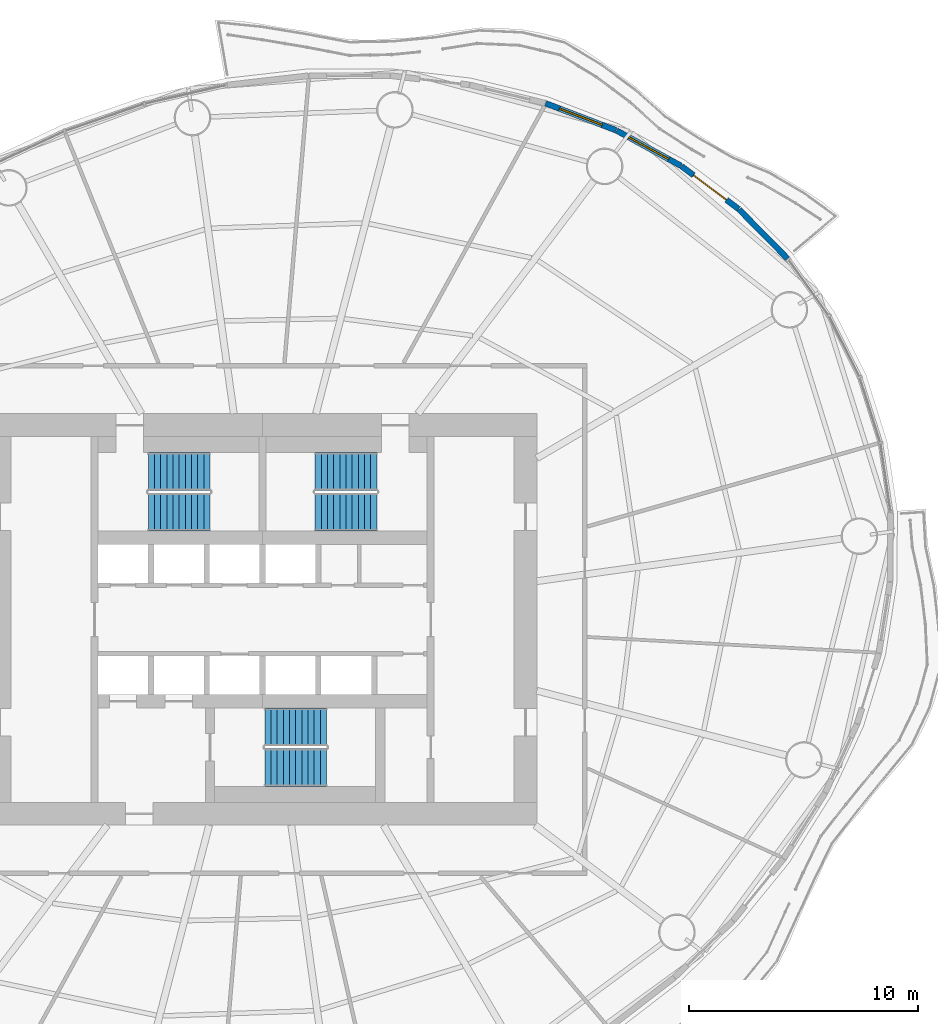
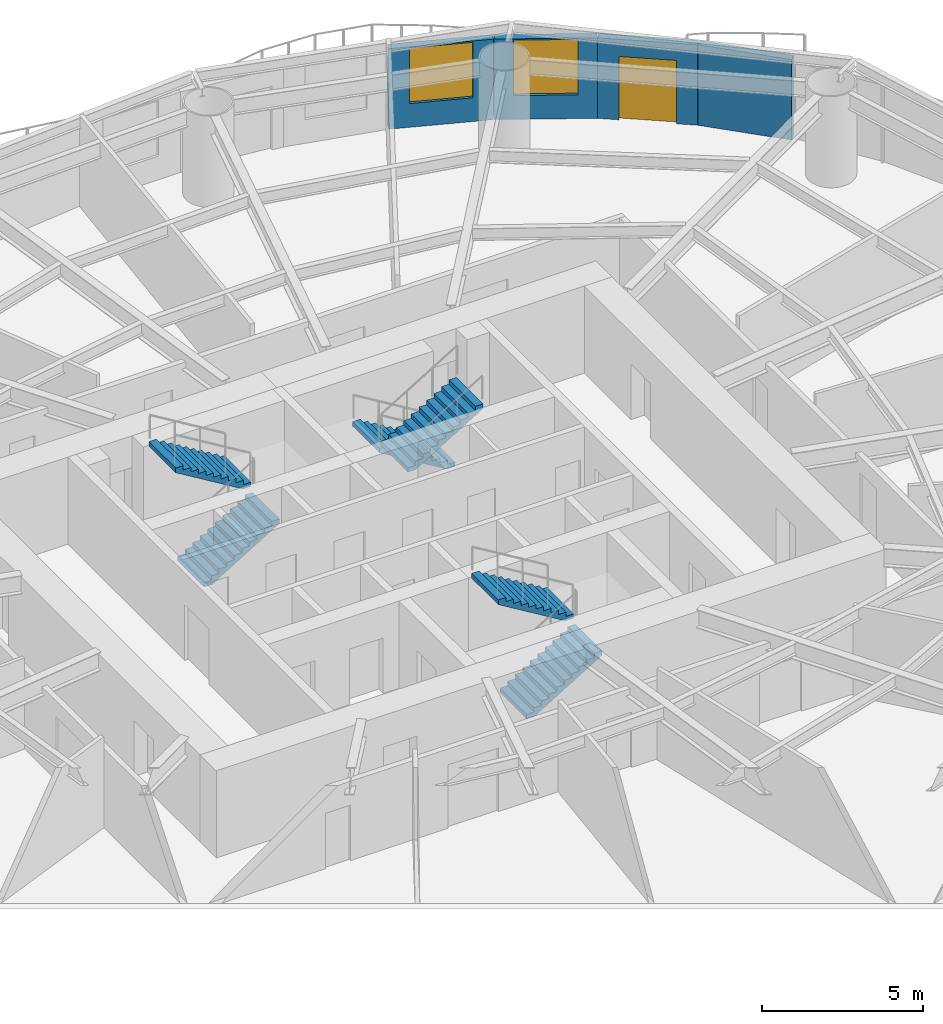
# One storey, part 10 of 15: 6 stair flights, 4 walls, 2 windows, 1 door, 3 openings, 3 elements without a shape of their own.
"""IFC4 building model written with IfcOpenShell, lengths in metres."""

from ifc_helpers import new_model, si_unit, direction, frame, frame_2d, origin, place, context, subcontext, project, spatial, polyline, rectangle, outline, extrude, material, layer, layer_set, type_object, element, fill, aggregate, save


model = new_model("IFC4")

# Units and contexts
model_context = context("Model", 3, precision=1e-05, world=origin(), true_north=direction((0.0, 1.0)))
body_context = subcontext(model_context, "Body", "Model", "MODEL_VIEW")
ifc_project = project(units=[si_unit("LENGTHUNIT", "METRE"), si_unit("AREAUNIT", "SQUARE_METRE"), si_unit("VOLUMEUNIT", "CUBIC_METRE"), si_unit("PLANEANGLEUNIT", "RADIAN"), si_unit("MASSUNIT", "GRAM", prefix="KILO")], contexts=[model_context])

# Site, building, storey
site_placement = place(None, origin())
site = spatial("IfcSite", under=ifc_project, at=site_placement, CompositionType="ELEMENT")
building_placement = place(site_placement, origin())
building = spatial("IfcBuilding", under=site, at=building_placement, Name="Vermilion Reach Broadcast Tower", CompositionType="ELEMENT")
storey_placement = place(building_placement, frame((0.0, 0.0, 121.0)))
storey = spatial("IfcBuildingStorey", under=building, at=storey_placement, Name="L28", CompositionType="ELEMENT", Elevation=121.0)

# Wall
ifc_material_1 = material(Name="Terracotta rainscreen cladding", Category="masonry")
ifc_layer = layer(ifc_material_1, 0.25)
ifc_layer_set = layer_set([ifc_layer], Name="Terracotta rainscreen wall 250")
wall_type = type_object("IfcWallType", Name="Terracotta rainscreen wall 250", PredefinedType="SOLIDWALL", material=ifc_layer_set)
wall_1_placement = place(storey_placement, frame((16.9609375, 15.78857421875, 0.0), z_axis=(0.0, 0.0, 1.0), x_axis=(-0.701948142778, 0.71222805677, 0.0)))
element("IfcWall", 1, at=wall_1_placement, inside=storey, type_object=wall_type, Name="External wall L28 02", PredefinedType="SOLIDWALL", context=body_context, shape_type="SweptSolid", body=[
    extrude(rectangle(XDim=3.01611328125, YDim=0.25, at=frame_2d((1.508056640625, 0.0))), origin(), (0.0, 0.0, 1.0), 3.050048828125),
])

# Wall, opening, door
wall_2_placement = place(storey_placement, frame((14.82373046875, 17.954345703125, 0.0), z_axis=(0.0, 0.0, 1.0), x_axis=(-0.799896906683, 0.60013743316, 0.0)))
wall_2 = element("IfcWall", 2, at=wall_2_placement, inside=storey, type_object=wall_type, Name="External wall L28 03", PredefinedType="SOLIDWALL", context=body_context, shape_type="SweptSolid", body=[
    extrude(rectangle(XDim=3.126220703125, YDim=0.25, at=frame_2d((1.56298828125, 0.0))), origin(), (0.0, 0.0, 1.0), 3.050048828125),
])
opening_1_placement = place(wall_2_placement, frame((0.6630859375, 0.0, 0.0)))
opening_1 = element("IfcOpeningElement", 3, at=opening_1_placement, cuts=wall_2, Name="Opening D70", PredefinedType="OPENING", context=body_context, shape_type="SweptSolid", body=[
    extrude(rectangle(XDim=1.800048828125, YDim=2.39990234375, at=frame_2d((0.89990234375, 1.199951171875))), frame((0.0, 0.135009765625, 0.0), z_axis=(0.0, -1.0, 0.0), x_axis=(1.0, 0.0, 0.0)), (0.0, 0.0, 1.0), 0.27001953125),
])
ifc_material_2 = material(Name="Low-e laminated clear glass in aluminium frame", Category="aluminium")
door_type = type_object("IfcDoorType", Name="Balcony sliding door 1800 x 2400", OperationType="DOUBLE_DOOR_SLIDING", PredefinedType="DOOR", material=ifc_material_2)
door_placement = place(opening_1_placement, origin())
door = element("IfcDoor", 4, at=door_placement, inside=storey, type_object=door_type, Name="Balcony door L28 run 01", OperationType="DOUBLE_DOOR_SLIDING", OverallHeight=2.39990234375, OverallWidth=1.800048828125, PredefinedType="DOOR", context=body_context, shape_type="SweptSolid", body=[
    extrude(rectangle(XDim=1.800048828125, YDim=2.39990234375, at=frame_2d((0.89990234375, 1.199951171875))), frame((0.0, 0.02490234375, 0.0), z_axis=(0.0, -1.0, 0.0), x_axis=(1.0, 0.0, 0.0)), (0.0, 0.0, 1.0), 0.050048828125),
])
fill(opening_1, door)

# Wall, opening, window
wall_3_placement = place(storey_placement, frame((12.30126953125, 19.844482421875, 0.0), z_axis=(0.0, 0.0, 1.0), x_axis=(-0.876916884628, 0.480642047114, 0.0)))
wall_3 = element("IfcWall", 5, at=wall_3_placement, inside=storey, type_object=wall_type, Name="External wall L28 04", PredefinedType="SOLIDWALL", context=body_context, shape_type="SweptSolid", body=[
    extrude(rectangle(XDim=3.209228515625, YDim=0.25, at=frame_2d((1.6044921875, 0.0))), origin(), (0.0, 0.0, 1.0), 3.050048828125),
])
opening_2_placement = place(wall_3_placement, frame((0.6044921875, 0.0, 0.89990234375)))
opening_2 = element("IfcOpeningElement", 6, at=opening_2_placement, cuts=wall_3, Name="Opening W03", PredefinedType="OPENING", context=body_context, shape_type="SweptSolid", body=[
    extrude(rectangle(XDim=2.0, YDim=2.10009765625, at=frame_2d((1.0, 1.050048828125))), frame((0.0, 0.135009765625, 0.0), z_axis=(0.0, -1.0, 0.0), x_axis=(1.0, 0.0, 0.0)), (0.0, 0.0, 1.0), 0.27001953125),
])
ifc_material_3 = material(Name="Low-e laminated clear glass in aluminium frame", Category="aluminium")
window_type = type_object("IfcWindowType", Name="Punched window 2000 x 2100 sill 900", PartitioningType="SINGLE_PANEL", PredefinedType="WINDOW", material=ifc_material_3)
window_1_placement = place(opening_2_placement, origin())
window_1 = element("IfcWindow", 7, at=window_1_placement, inside=storey, type_object=window_type, Name="Window L28 04", OverallHeight=2.10009765625, OverallWidth=2.0, PartitioningType="SINGLE_PANEL", PredefinedType="WINDOW", context=body_context, shape_type="SweptSolid", body=[
    extrude(rectangle(XDim=2.0, YDim=2.10009765625, at=frame_2d((1.0, 1.050048828125))), frame((0.0, 0.030029296875, 0.0), z_axis=(0.0, -1.0, 0.0), x_axis=(1.0, 0.0, 0.0)), (0.0, 0.0, 1.0), 0.06005859375),
])
fill(opening_2, window_1)

wall_4_placement = place(storey_placement, frame((9.46435546875, 21.3974609375, 0.0), z_axis=(0.0, 0.0, 1.0), x_axis=(-0.933724677667, 0.357991936103, 0.0)))
wall_4 = element("IfcWall", 8, at=wall_4_placement, inside=storey, type_object=wall_type, Name="External wall L28 05", PredefinedType="SOLIDWALL", context=body_context, shape_type="SweptSolid", body=[
    extrude(rectangle(XDim=3.298583984375, YDim=0.25, at=frame_2d((1.6494140625, 0.0))), origin(), (0.0, 0.0, 1.0), 3.050048828125),
])
opening_3_placement = place(wall_4_placement, frame((0.6494140625, 0.0, 0.89990234375)))
opening_3 = element("IfcOpeningElement", 9, at=opening_3_placement, cuts=wall_4, Name="Opening W03", PredefinedType="OPENING", context=body_context, shape_type="SweptSolid", body=[
    extrude(rectangle(XDim=2.0, YDim=2.10009765625, at=frame_2d((1.0, 1.050048828125))), frame((0.0, 0.135009765625, 0.0), z_axis=(0.0, -1.0, 0.0), x_axis=(1.0, 0.0, 0.0)), (0.0, 0.0, 1.0), 0.27001953125),
])
window_2_placement = place(opening_3_placement, origin())
window_2 = element("IfcWindow", 10, at=window_2_placement, inside=storey, type_object=window_type, Name="Window L28 05", OverallHeight=2.10009765625, OverallWidth=2.0, PartitioningType="SINGLE_PANEL", PredefinedType="WINDOW", context=body_context, shape_type="SweptSolid", body=[
    extrude(rectangle(XDim=2.0, YDim=2.10009765625, at=frame_2d((1.0, 1.050048828125))), frame((0.0, 0.030029296875, 0.0), z_axis=(0.0, -1.0, 0.0), x_axis=(1.0, 0.0, 0.0)), (0.0, 0.0, 1.0), 0.06005859375),
])
fill(opening_3, window_2)

# Stair, stair flights
ifc_material_4 = material(Name="Concrete C40", Category="concrete")
stair_type = type_object("IfcStairType", Name="Exit stair RC 22 risers 164 mm", PredefinedType="HALF_TURN_STAIR", material=ifc_material_4)
placement = place(storey_placement, origin())
stair_1 = element("IfcStair", 11, at=placement, inside=storey, type_object=stair_type, Name="L28 Exit stair ST1", PredefinedType="HALF_TURN_STAIR")
ifc_material_5 = material(Name="Concrete C40", Category="concrete")
stair_flight_type = type_object("IfcStairFlightType", Name="Exit stair flight RC 11 risers", PredefinedType="STRAIGHT", material=ifc_material_5)
stair_flight_1_placement = place(storey_placement, frame((-11.0, 4.7099609375, 0.0), z_axis=(0.0, 0.0, 1.0), x_axis=(1.0, 0.0, 0.0)))
stair_flight_1 = element("IfcStairFlight", 12, at=stair_flight_1_placement, type_object=stair_flight_type, Name="ST1 flight 1", NumberOfRisers=11, NumberOfTreads=10, PredefinedType="STRAIGHT", RiserHeight=0.163636364, TreadLength=0.27, context=body_context, shape_type="SweptSolid", body=[
    extrude(outline(polyline([(0.0, 0.0), (0.0, 0.16357421875), (0.27001953125, 0.16357421875), (0.27001953125, 0.327392578125), (0.5400390625, 0.327392578125), (0.5400390625, 0.490966796875), (0.81005859375, 0.490966796875), (0.81005859375, 0.654541015625), (1.080078125, 0.654541015625), (1.080078125, 0.818115234375), (1.35009765625, 0.818115234375), (1.35009765625, 0.98193359375), (1.6201171875, 0.98193359375), (1.6201171875, 1.1455078125), (1.889892578125, 1.1455078125), (1.889892578125, 1.30908203125), (2.159912109375, 1.30908203125), (2.159912109375, 1.47265625), (2.429931640625, 1.47265625), (2.429931640625, 1.636474609375), (2.699951171875, 1.636474609375), (2.699951171875, 1.800048828125), (2.699951171875, 1.461181640625), (0.289306640625, 0.0), (0.0, 0.0)])), frame((0.0, 0.830078125, 0.0), z_axis=(0.0, -1.0, 0.0), x_axis=(1.0, 0.0, 0.0)), (0.0, 0.0, 1.0), 1.659912109375),
])
stair_flight_2_placement = place(storey_placement, frame((-8.300048828125, 6.469970703125, 1.800048828125), z_axis=(0.0, 0.0, 1.0), x_axis=(-1.0, 0.0, 0.0)))
stair_flight_2 = element("IfcStairFlight", 13, at=stair_flight_2_placement, type_object=stair_flight_type, Name="ST1 flight 2", NumberOfRisers=11, NumberOfTreads=10, PredefinedType="STRAIGHT", RiserHeight=0.163636364, TreadLength=0.27, context=body_context, shape_type="SweptSolid", body=[
    extrude(outline(polyline([(0.0, 0.0), (0.0, 0.16357421875), (0.27001953125, 0.16357421875), (0.27001953125, 0.327392578125), (0.5400390625, 0.327392578125), (0.5400390625, 0.490966796875), (0.81005859375, 0.490966796875), (0.81005859375, 0.654541015625), (1.080078125, 0.654541015625), (1.080078125, 0.818115234375), (1.35009765625, 0.818115234375), (1.35009765625, 0.98193359375), (1.6201171875, 0.98193359375), (1.6201171875, 1.1455078125), (1.889892578125, 1.1455078125), (1.889892578125, 1.30908203125), (2.159912109375, 1.30908203125), (2.159912109375, 1.47265625), (2.429931640625, 1.47265625), (2.429931640625, 1.636474609375), (2.699951171875, 1.636474609375), (2.699951171875, 1.800048828125), (2.699951171875, 1.461181640625), (0.289306640625, 0.0), (0.0, 0.0)])), frame((0.0, 0.830078125, 0.0), z_axis=(0.0, -1.0, 0.0), x_axis=(1.0, 0.0, 0.0)), (0.0, 0.0, 1.0), 1.659912109375),
])
aggregate(stair_1, [stair_flight_1, stair_flight_2])

stair_2 = element("IfcStair", 14, at=placement, inside=storey, type_object=stair_type, Name="L28 Exit stair ST2", PredefinedType="HALF_TURN_STAIR")
stair_flight_3_placement = place(storey_placement, frame((-1.0, 6.469970703125, 0.0), z_axis=(0.0, 0.0, 1.0), x_axis=(-1.0, 0.0, 0.0)))
stair_flight_3 = element("IfcStairFlight", 15, at=stair_flight_3_placement, type_object=stair_flight_type, Name="ST2 flight 1", NumberOfRisers=11, NumberOfTreads=10, PredefinedType="STRAIGHT", RiserHeight=0.163636364, TreadLength=0.27, context=body_context, shape_type="SweptSolid", body=[
    extrude(outline(polyline([(0.0, 0.0), (0.0, 0.16357421875), (0.27001953125, 0.16357421875), (0.27001953125, 0.327392578125), (0.5400390625, 0.327392578125), (0.5400390625, 0.490966796875), (0.81005859375, 0.490966796875), (0.81005859375, 0.654541015625), (1.080078125, 0.654541015625), (1.080078125, 0.818115234375), (1.35009765625, 0.818115234375), (1.35009765625, 0.98193359375), (1.6201171875, 0.98193359375), (1.6201171875, 1.1455078125), (1.889892578125, 1.1455078125), (1.889892578125, 1.30908203125), (2.159912109375, 1.30908203125), (2.159912109375, 1.47265625), (2.429931640625, 1.47265625), (2.429931640625, 1.636474609375), (2.699951171875, 1.636474609375), (2.699951171875, 1.800048828125), (2.699951171875, 1.461181640625), (0.289306640625, 0.0), (0.0, 0.0)])), frame((0.0, 0.830078125, 0.0), z_axis=(0.0, -1.0, 0.0), x_axis=(1.0, 0.0, 0.0)), (0.0, 0.0, 1.0), 1.659912109375),
])
stair_flight_4_placement = place(storey_placement, frame((-3.699951171875, 4.7099609375, 1.800048828125), z_axis=(0.0, 0.0, 1.0), x_axis=(1.0, 0.0, 0.0)))
stair_flight_4 = element("IfcStairFlight", 16, at=stair_flight_4_placement, type_object=stair_flight_type, Name="ST2 flight 2", NumberOfRisers=11, NumberOfTreads=10, PredefinedType="STRAIGHT", RiserHeight=0.163636364, TreadLength=0.27, context=body_context, shape_type="SweptSolid", body=[
    extrude(outline(polyline([(0.0, 0.0), (0.0, 0.16357421875), (0.27001953125, 0.16357421875), (0.27001953125, 0.327392578125), (0.5400390625, 0.327392578125), (0.5400390625, 0.490966796875), (0.81005859375, 0.490966796875), (0.81005859375, 0.654541015625), (1.080078125, 0.654541015625), (1.080078125, 0.818115234375), (1.35009765625, 0.818115234375), (1.35009765625, 0.98193359375), (1.6201171875, 0.98193359375), (1.6201171875, 1.1455078125), (1.889892578125, 1.1455078125), (1.889892578125, 1.30908203125), (2.159912109375, 1.30908203125), (2.159912109375, 1.47265625), (2.429931640625, 1.47265625), (2.429931640625, 1.636474609375), (2.699951171875, 1.636474609375), (2.699951171875, 1.800048828125), (2.699951171875, 1.461181640625), (0.289306640625, 0.0), (0.0, 0.0)])), frame((0.0, 0.830078125, 0.0), z_axis=(0.0, -1.0, 0.0), x_axis=(1.0, 0.0, 0.0)), (0.0, 0.0, 1.0), 1.659912109375),
])
aggregate(stair_2, [stair_flight_3, stair_flight_4])

stair_3 = element("IfcStair", 17, at=placement, inside=storey, type_object=stair_type, Name="L28 Exit stair ST3", PredefinedType="HALF_TURN_STAIR")
stair_flight_5_placement = place(storey_placement, frame((-5.89990234375, -6.469970703125, 0.0), z_axis=(0.0, 0.0, 1.0), x_axis=(1.0, 0.0, 0.0)))
stair_flight_5 = element("IfcStairFlight", 18, at=stair_flight_5_placement, type_object=stair_flight_type, Name="ST3 flight 1", NumberOfRisers=11, NumberOfTreads=10, PredefinedType="STRAIGHT", RiserHeight=0.163636364, TreadLength=0.27, context=body_context, shape_type="SweptSolid", body=[
    extrude(outline(polyline([(0.0, 0.0), (0.0, 0.16357421875), (0.27001953125, 0.16357421875), (0.27001953125, 0.327392578125), (0.5400390625, 0.327392578125), (0.5400390625, 0.490966796875), (0.81005859375, 0.490966796875), (0.81005859375, 0.654541015625), (1.080078125, 0.654541015625), (1.080078125, 0.818115234375), (1.35009765625, 0.818115234375), (1.35009765625, 0.98193359375), (1.6201171875, 0.98193359375), (1.6201171875, 1.1455078125), (1.889892578125, 1.1455078125), (1.889892578125, 1.30908203125), (2.159912109375, 1.30908203125), (2.159912109375, 1.47265625), (2.429931640625, 1.47265625), (2.429931640625, 1.636474609375), (2.699951171875, 1.636474609375), (2.699951171875, 1.800048828125), (2.699951171875, 1.461181640625), (0.289306640625, 0.0), (0.0, 0.0)])), frame((0.0, 0.830078125, 0.0), z_axis=(0.0, -1.0, 0.0), x_axis=(1.0, 0.0, 0.0)), (0.0, 0.0, 1.0), 1.659912109375),
])
stair_flight_6_placement = place(storey_placement, frame((-3.199951171875, -4.7099609375, 1.800048828125), z_axis=(0.0, 0.0, 1.0), x_axis=(-1.0, 0.0, 0.0)))
stair_flight_6 = element("IfcStairFlight", 19, at=stair_flight_6_placement, type_object=stair_flight_type, Name="ST3 flight 2", NumberOfRisers=11, NumberOfTreads=10, PredefinedType="STRAIGHT", RiserHeight=0.163636364, TreadLength=0.27, context=body_context, shape_type="SweptSolid", body=[
    extrude(outline(polyline([(0.0, 0.0), (0.0, 0.16357421875), (0.27001953125, 0.16357421875), (0.27001953125, 0.327392578125), (0.5400390625, 0.327392578125), (0.5400390625, 0.490966796875), (0.81005859375, 0.490966796875), (0.81005859375, 0.654541015625), (1.080078125, 0.654541015625), (1.080078125, 0.818115234375), (1.35009765625, 0.818115234375), (1.35009765625, 0.98193359375), (1.6201171875, 0.98193359375), (1.6201171875, 1.1455078125), (1.889892578125, 1.1455078125), (1.889892578125, 1.30908203125), (2.159912109375, 1.30908203125), (2.159912109375, 1.47265625), (2.429931640625, 1.47265625), (2.429931640625, 1.636474609375), (2.699951171875, 1.636474609375), (2.699951171875, 1.800048828125), (2.699951171875, 1.461181640625), (0.289306640625, 0.0), (0.0, 0.0)])), frame((0.0, 0.830078125, 0.0), z_axis=(0.0, -1.0, 0.0), x_axis=(1.0, 0.0, 0.0)), (0.0, 0.0, 1.0), 1.659912109375),
])
aggregate(stair_3, [stair_flight_5, stair_flight_6])

save(model, "model.ifc")
